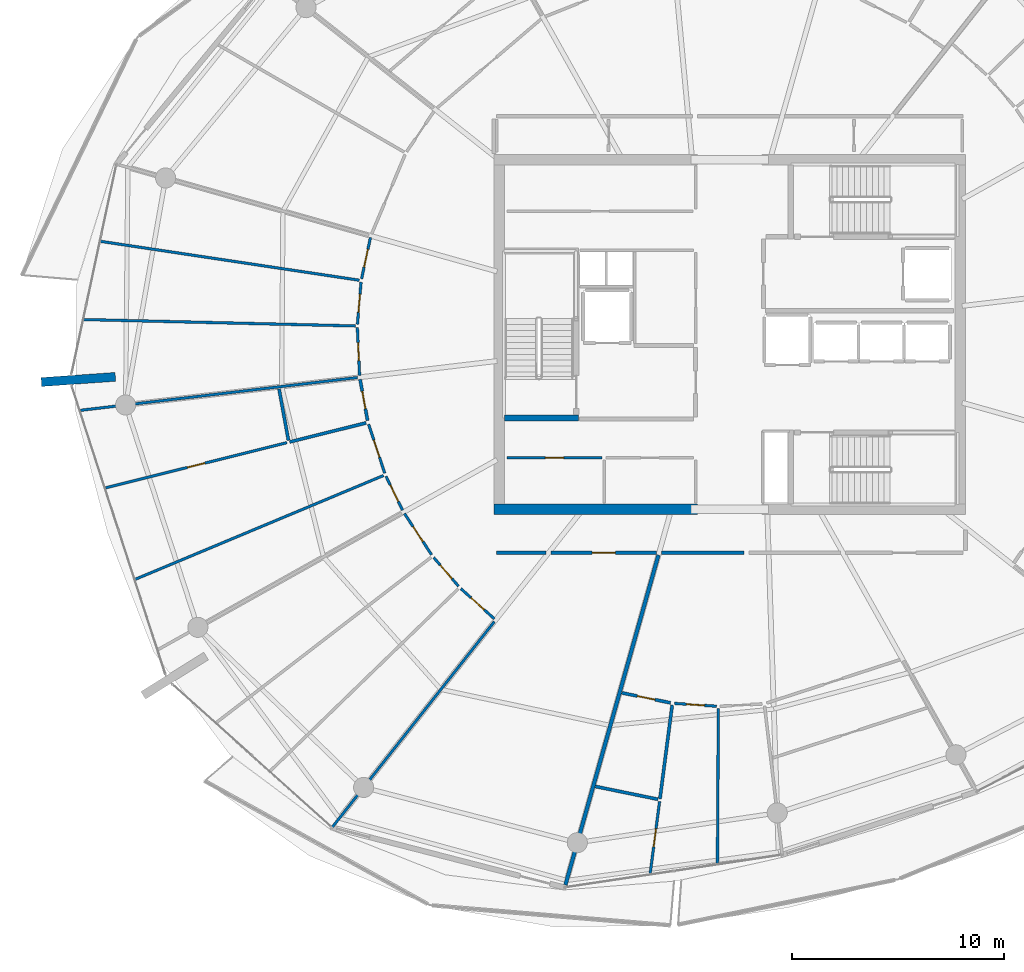
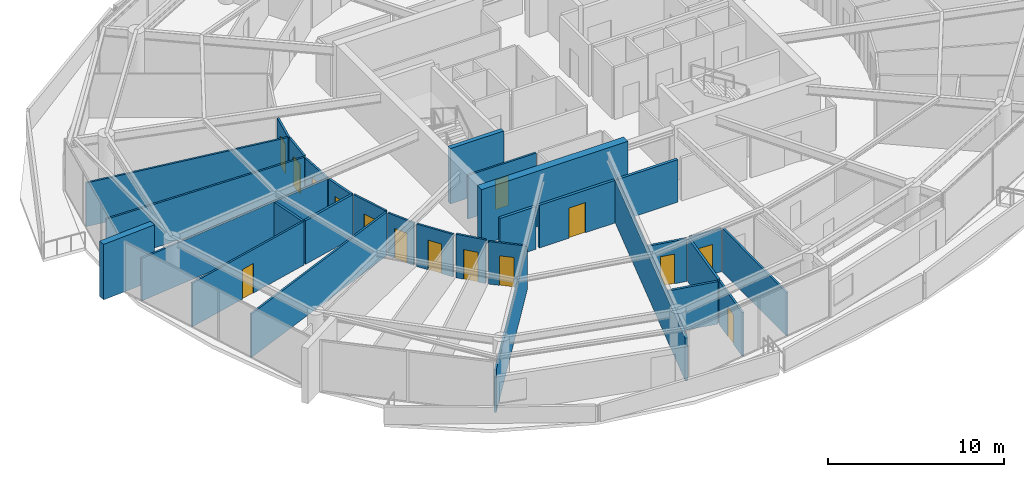
# One storey, part 18 of 30: 31 walls, 15 doors, 15 openings.
"""IFC4 building model written with IfcOpenShell, lengths in metres."""

import ifcopenshell
import ifcopenshell.guid

model = None  # the IFC model being written
_history = None  # IfcOwnerHistory: only IFC2X3 demands one
_inside = {}  # id of a spatial element -> (the spatial element, [elements in it])
_under = {}  # id of a project, library or spatial element -> (it, [spatial elements below it])
_declared = {}  # id of a project -> (the project, [libraries it declares])
_typed = {}  # id of a type object -> (the type object, [elements of that type])
_made_of = {}  # id of a material, layer set ... -> (it, [elements and type objects made of it])


def new_model(schema):
    """Start an empty IFC model of exactly this schema.

    Asked for "IFC4X3", IfcOpenShell would pick the latest addendum, in which some entities
    have other attributes; the version numbers below select the first issue.
    IFC2X3 requires an IfcOwnerHistory on every rooted entity: one is made here for all.
    """
    global model, _history
    if schema == "IFC4X3":
        model = ifcopenshell.file(schema_version=(4, 3, 0, 0))
    else:
        model = ifcopenshell.file(schema=schema)
    _inside.clear()
    _under.clear()
    _declared.clear()
    _typed.clear()
    _made_of.clear()
    _history = None
    if model.schema == "IFC2X3":
        org = make("IfcOrganization", Name="unknown")
        user = make(
            "IfcPersonAndOrganization",
            ThePerson=make("IfcPerson", FamilyName="unknown"),
            TheOrganization=org,
        )
        app = make(
            "IfcApplication",
            ApplicationDeveloper=org,
            Version="unknown",
            ApplicationFullName="unknown",
            ApplicationIdentifier="unknown",
        )
        _history = make(
            "IfcOwnerHistory",
            OwningUser=user,
            OwningApplication=app,
            ChangeAction="ADDED",
            CreationDate=0,
        )
    return model


def make(cls, **values):
    """One entity of the class cls with the attributes given. An attribute that is None is left unset."""
    return model.create_entity(
        cls, **{name: value for name, value in values.items() if value is not None}
    )


def rooted(cls, **values):
    """An entity with a GlobalId (a new one), such as an element, a storey or a relation."""
    return make(cls, GlobalId=ifcopenshell.guid.new(), OwnerHistory=_history, **values)


def si_unit(unit_type, name, prefix=None):
    """IfcSIUnit, for example si_unit("LENGTHUNIT", "METRE", prefix="MILLI")."""
    return make("IfcSIUnit", UnitType=unit_type, Prefix=prefix, Name=name)


def assignment(units):
    """IfcUnitAssignment: the units of a project."""
    return None if units is None else make("IfcUnitAssignment", Units=units)


def point(xyz):
    """IfcCartesianPoint."""
    return None if xyz is None else make("IfcCartesianPoint", Coordinates=xyz)


def direction(xyz):
    """IfcDirection."""
    return None if xyz is None else make("IfcDirection", DirectionRatios=xyz)


def frame(location, z_axis=None, x_axis=None):
    """IfcAxis2Placement3D, a coordinate frame: its origin and axes. An axis left out is left unset."""
    return make(
        "IfcAxis2Placement3D",
        Location=point(location),
        Axis=direction(z_axis),
        RefDirection=direction(x_axis),
    )


def frame_2d(location, x_axis=None):
    """IfcAxis2Placement2D, a coordinate frame in the plane: its origin and x axis."""
    return make(
        "IfcAxis2Placement2D", Location=point(location), RefDirection=direction(x_axis)
    )


def origin():
    """The frame at (0, 0, 0) with its axes left unset."""
    return frame((0.0, 0.0, 0.0))


def place(relative_to, where):
    """IfcLocalPlacement: puts the frame where relative to a parent placement (None: the world)."""
    return make(
        "IfcLocalPlacement", PlacementRelTo=relative_to, RelativePlacement=where
    )


def context(
    kind, dimensions, precision=None, world=None, true_north=None, identifier=None
):
    """IfcGeometricRepresentationContext, for example the 3D "Model" context."""
    return make(
        "IfcGeometricRepresentationContext",
        ContextIdentifier=identifier,
        ContextType=kind,
        CoordinateSpaceDimension=dimensions,
        Precision=precision,
        WorldCoordinateSystem=world,
        TrueNorth=true_north,
    )


def subcontext(parent, identifier, kind, view, scale=None):
    """IfcGeometricRepresentationSubContext, for example "Body" below "Model"."""
    return make(
        "IfcGeometricRepresentationSubContext",
        ContextIdentifier=identifier,
        ContextType=kind,
        ParentContext=parent,
        TargetScale=scale,
        TargetView=view,
    )


def project(units=None, contexts=None):
    """IfcProject with its units and contexts."""
    return rooted(
        "IfcProject",
        Name="project",
        RepresentationContexts=contexts,
        UnitsInContext=assignment(units),
    )


def spatial(cls, under=None, at=None, **own):
    """A site, building, storey or space (cls), placed at a placement, below another one or the project."""
    s = rooted(cls, ObjectPlacement=at, **own)
    if under is not None:
        _under.setdefault(under.id(), (under, []))[1].append(s)
    return s


def profile(cls, at=None, kind="AREA", **sizes):
    """A parametric profile (cls). Its sizes go by their IFC names, for example OverallWidth=200.0."""
    return make(cls, ProfileType=kind, Position=at, **sizes)


def rectangle(**sizes):
    """IfcRectangleProfileDef."""
    return profile("IfcRectangleProfileDef", **sizes)


def extrude(swept, where, along, depth):
    """IfcExtrudedAreaSolid: the profile swept, set in the frame where, extruded along a direction by depth."""
    return make(
        "IfcExtrudedAreaSolid",
        SweptArea=swept,
        Position=where,
        ExtrudedDirection=direction(along),
        Depth=depth,
    )


def shape(context_of_items, identifier, shape_type, items):
    """IfcShapeRepresentation: the items that make up one representation, for example the "Body"."""
    return make(
        "IfcShapeRepresentation",
        ContextOfItems=context_of_items,
        RepresentationIdentifier=identifier,
        RepresentationType=shape_type,
        Items=items,
    )


def material(Name=None, Category=None):
    """IfcMaterial."""
    return make("IfcMaterial", Name=Name, Category=Category)


def layer(
    of_material, thickness, ventilated=None, Name=None, Category=None, Priority=None
):
    """IfcMaterialLayer: one layer of a wall or slab, of a material (None: an air gap)."""
    return make(
        "IfcMaterialLayer",
        Material=of_material,
        LayerThickness=thickness,
        IsVentilated=ventilated,
        Name=Name,
        Category=Category,
        Priority=Priority,
    )


def layer_set(layers, Name=None):
    """IfcMaterialLayerSet."""
    return make("IfcMaterialLayerSet", MaterialLayers=layers, LayerSetName=Name)


def made_of(thing, what):
    """Note that an element or type object is made of a material, layer set ...; save() writes the relation."""
    if what is not None:
        _made_of.setdefault(what.id(), (what, []))[1].append(thing)
    return thing


def type_object(cls, material=None, **own):
    """A type object (cls), such as IfcWallType, which elements share."""
    return made_of(rooted(cls, **own), material)


def element(
    cls,
    number,
    at=None,
    inside=None,
    cuts=None,
    type_object=None,
    material=None,
    context=None,
    identifier="Body",
    shape_type=None,
    held_by="IfcProductDefinitionShape",
    body=None,
    shapes=None,
    **own,
):
    """One element of the class cls, such as IfcWall. Its Tag is "e" and its number.

    at: its placement. inside: the storey or other place that contains it. cuts: it is an
    opening in that element (IfcRelVoidsElement). A single representation is given by context,
    identifier, shape_type and body (its items); several are given by shapes. held_by: the class
    of the entity that holds the representations. save() writes the other relations.
    """
    e = rooted(cls, Tag="e%d" % number, ObjectPlacement=at, **own)
    if body is not None:
        shapes = [shape(context, identifier, shape_type, body)]
    if shapes is not None:
        e.Representation = make(held_by, Representations=shapes)
    if inside is not None:
        _inside.setdefault(inside.id(), (inside, []))[1].append(e)
    if cuts is not None:
        rooted(
            "IfcRelVoidsElement", RelatingBuildingElement=cuts, RelatedOpeningElement=e
        )
    if type_object is not None:
        _typed.setdefault(type_object.id(), (type_object, []))[1].append(e)
    return made_of(e, material)


def fill(opening, filler):
    """IfcRelFillsElement: the door or window that sits in an opening."""
    return rooted(
        "IfcRelFillsElement",
        RelatingOpeningElement=opening,
        RelatedBuildingElement=filler,
    )


def aggregate(whole, parts):
    """IfcRelAggregates: a whole, such as a stair, and the parts it consists of."""
    return rooted("IfcRelAggregates", RelatingObject=whole, RelatedObjects=parts)


def save(model, path):
    """Write the relations noted so far, then the file.

    IfcRelAggregates (storeys below a building ...), IfcRelContainedInSpatialStructure (elements
    in a storey), IfcRelDefinesByType, IfcRelAssociatesMaterial and IfcRelDeclares: one each for
    every whole, place, type object, material and project.
    """
    for whole, parts in _under.values():
        aggregate(whole, parts)
    for where, things in _inside.values():
        rooted(
            "IfcRelContainedInSpatialStructure",
            RelatedElements=things,
            RelatingStructure=where,
        )
    for kind, things in _typed.values():
        rooted("IfcRelDefinesByType", RelatedObjects=things, RelatingType=kind)
    for what, things in _made_of.values():
        rooted("IfcRelAssociatesMaterial", RelatedObjects=things, RelatingMaterial=what)
    for by, libraries in _declared.values():
        rooted("IfcRelDeclares", RelatingContext=by, RelatedDefinitions=libraries)
    model.write(path)


model = new_model("IFC4")

# Units and contexts
model_context = context("Model", 3, precision=1e-05, world=origin(), true_north=direction((0.0, 1.0)))
body_context = subcontext(model_context, "Body", "Model", "MODEL_VIEW")
ifc_project = project(units=[si_unit("LENGTHUNIT", "METRE"), si_unit("AREAUNIT", "SQUARE_METRE"), si_unit("VOLUMEUNIT", "CUBIC_METRE"), si_unit("PLANEANGLEUNIT", "RADIAN"), si_unit("MASSUNIT", "GRAM", prefix="KILO")], contexts=[model_context])

# Site, building, storey
site_placement = place(None, origin())
site = spatial("IfcSite", under=ifc_project, at=site_placement, CompositionType="ELEMENT")
building_placement = place(site_placement, origin())
building = spatial("IfcBuilding", under=site, at=building_placement, Name="Kazma Halo Residences", CompositionType="ELEMENT")
storey_placement = place(building_placement, frame((0.0, 0.0, 290.60009765625)))
storey = spatial("IfcBuildingStorey", under=building, at=storey_placement, Name="L73", CompositionType="ELEMENT", Elevation=290.60009765625)

# Walls
ifc_material_1 = material(Name="Pale Concrete C60/75", Category="concrete")
ifc_layer_1 = layer(ifc_material_1, 0.419921875)
ifc_layer_set_1 = layer_set([ifc_layer_1], Name="Pale Concrete C60/75")
wall_type_1 = type_object("IfcWallType", Name="WL-BLADE-420", PredefinedType="SOLIDWALL", material=ifc_layer_set_1)
wall_1_placement = place(storey_placement, frame((19.4375, 40.002685546875, 0.0), z_axis=(0.0, 0.0, 1.0), x_axis=(-0.997563824095, -0.069759707979, 0.0)))
element("IfcWall", 1, at=wall_1_placement, inside=storey, type_object=wall_type_1, Name="L73 pale concrete structural blade fin wall BW-02", PredefinedType="SOLIDWALL", context=body_context, shape_type="SweptSolid", body=[
    extrude(rectangle(XDim=3.499755859375, YDim=0.419921875, at=frame_2d((1.75, 0.0))), origin(), (0.0, 0.0, 1.0), 3.849853515625),
])
ifc_material_2 = material(Name="Concrete C60/75", Category="concrete")
ifc_layer_2 = layer(ifc_material_2, 0.5)
ifc_layer_set_2 = layer_set([ifc_layer_2], Name="Concrete C60/75")
wall_type_2 = type_object("IfcWallType", Name="WL-CORE-500", PredefinedType="SHEAR", material=ifc_layer_set_2)
wall_2_placement = place(storey_placement, frame((37.300048828125, 33.75, 0.0), z_axis=(0.0, 0.0, 1.0), x_axis=(1.0, 0.0, 0.0)))
element("IfcWall", 2, at=wall_2_placement, inside=storey, type_object=wall_type_2, Name="L73 central core shear wall SW", PredefinedType="SHEAR", context=body_context, shape_type="SweptSolid", body=[
    extrude(rectangle(XDim=9.599853515625, YDim=0.5, at=frame_2d((4.7998046875, 0.0))), origin(), (0.0, 0.0, 1.0), 3.849853515625),
])
ifc_layer_3 = layer(ifc_material_2, 0.280029296875)
ifc_layer_set_3 = layer_set([ifc_layer_3], Name="Concrete C60/75")
wall_type_3 = type_object("IfcWallType", Name="WL-CORE-ST-280", PredefinedType="SHEAR", material=ifc_layer_set_3)
wall_3_placement = place(storey_placement, frame((37.800048828125, 38.06005859375, 0.0), z_axis=(0.0, 0.0, 1.0), x_axis=(1.0, 0.0, 0.0)))
element("IfcWall", 3, at=wall_3_placement, inside=storey, type_object=wall_type_3, Name="L73 stairwell bearing wall ST01-S", PredefinedType="SHEAR", context=body_context, shape_type="SweptSolid", body=[
    extrude(rectangle(XDim=3.5, YDim=0.280029296875, at=frame_2d((1.75, 0.0))), origin(), (0.0, 0.0, 1.0), 3.849853515625),
])
ifc_material_3 = material(Name="Acoustic Twin-Stud Gypsum")
ifc_layer_4 = layer(ifc_material_3, 0.179931640625)
ifc_layer_set_4 = layer_set([ifc_layer_4], Name="Acoustic Twin-Stud Gypsum")
wall_type_4 = type_object("IfcWallType", Name="WL-DEM-180", PredefinedType="PARTITIONING", material=ifc_layer_set_4)
wall_4_placement = place(storey_placement, frame((45.065185546875, 31.593994140625, 0.0), z_axis=(0.0, 0.0, 1.0), x_axis=(-0.27143972755, -0.962455440167, 0.0)))
element("IfcWall", 4, at=wall_4_placement, inside=storey, type_object=wall_type_4, Name="L73 apartment demising radial wall 10", PredefinedType="PARTITIONING", context=body_context, shape_type="SweptSolid", body=[
    extrude(rectangle(XDim=16.172607421875, YDim=0.179931640625, at=frame_2d((8.08642578125, 0.0))), origin(), (0.0, 0.0, 1.0), 2.956787109375),
])

# Wall, opening, door
wall_5_placement = place(storey_placement, frame((40.0, 31.699951171875, 0.0), z_axis=(0.0, 0.0, 1.0), x_axis=(1.0, 0.0, 0.0)))
wall_5 = element("IfcWall", 5, at=wall_5_placement, inside=storey, type_object=wall_type_4, Name="L73 Apartment 1 entrance corridor wall", PredefinedType="PARTITIONING", context=body_context, shape_type="SweptSolid", body=[
    extrude(rectangle(XDim=4.97509765625, YDim=0.179931640625, at=frame_2d((2.487548828125, 0.0))), origin(), (0.0, 0.0, 1.0), 2.956787109375),
])
opening_1_placement = place(wall_5_placement, frame((1.9375, 0.0, 0.0)))
opening_1 = element("IfcOpeningElement", 6, at=opening_1_placement, cuts=wall_5, Name="Opening DA-1100", PredefinedType="OPENING", context=body_context, shape_type="SweptSolid", body=[
    extrude(rectangle(XDim=1.10009765625, YDim=2.10009765625, at=frame_2d((0.550048828125, 1.050048828125))), frame((0.0, 0.099853515625, 0.0), z_axis=(0.0, -1.0, 0.0), x_axis=(1.0, 0.0, 0.0)), (0.0, 0.0, 1.0), 0.199951171875),
])
ifc_material_4 = material(Name="Acoustic Walnut Fire Leaf")
door_type_1 = type_object("IfcDoorType", Name="DR-FD60-1100", OperationType="NOTDEFINED", PredefinedType="DOOR", material=ifc_material_4)
door_1_placement = place(opening_1_placement, origin())
door_1 = element("IfcDoor", 7, at=door_1_placement, inside=storey, type_object=door_type_1, Name="L73 Apartment 1 entrance fire door", OperationType="SINGLE_SWING_LEFT", OverallHeight=2.10009765625, OverallWidth=1.10009765625, PredefinedType="DOOR", context=body_context, shape_type="SweptSolid", body=[
    extrude(rectangle(XDim=1.10009765625, YDim=2.10009765625, at=frame_2d((0.550048828125, 1.050048828125))), frame((0.0, 0.02490234375, 0.0), z_axis=(0.0, -1.0, 0.0), x_axis=(1.0, 0.0, 0.0)), (0.0, 0.0, 1.0), 0.050048828125),
])
fill(opening_1, door_1)

# Walls
wall_6_placement = place(storey_placement, frame((37.419921875, 31.699951171875, 0.0), z_axis=(0.0, 0.0, 1.0), x_axis=(1.0, 0.0, 0.0)))
element("IfcWall", 8, at=wall_6_placement, inside=storey, type_object=wall_type_4, Name="L73 Apartment 1 inner wall 8", PredefinedType="PARTITIONING", context=body_context, shape_type="SweptSolid", body=[
    extrude(rectangle(XDim=2.340087890625, YDim=0.179931640625, at=frame_2d((1.169921875, 0.0))), origin(), (0.0, 0.0, 1.0), 2.956787109375),
])
wall_7_placement = place(storey_placement, frame((45.215087890625, 31.699951171875, 0.0), z_axis=(0.0, 0.0, 1.0), x_axis=(1.0, 0.0, 0.0)))
element("IfcWall", 9, at=wall_7_placement, inside=storey, type_object=wall_type_4, Name="L73 Apartment 2 inner wall 10", PredefinedType="PARTITIONING", context=body_context, shape_type="SweptSolid", body=[
    extrude(rectangle(XDim=3.884033203125, YDim=0.179931640625, at=frame_2d((1.94189453125, 0.0))), origin(), (0.0, 0.0, 1.0), 2.956787109375),
])

# Wall, opening, door
ifc_material_5 = material(Name="Gypsum Plasterboard Partition")
ifc_layer_5 = layer(ifc_material_5, 0.125)
ifc_layer_set_5 = layer_set([ifc_layer_5], Name="Gypsum Plasterboard Partition")
wall_type_5 = type_object("IfcWallType", Name="WL-PART-125", PredefinedType="PARTITIONING", material=ifc_layer_set_5)
wall_8_placement = place(storey_placement, frame((37.919921875, 36.179931640625, 0.0), z_axis=(0.0, 0.0, 1.0), x_axis=(1.0, 0.0, 0.0)))
wall_8 = element("IfcWall", 10, at=wall_8_placement, inside=storey, type_object=wall_type_5, Name="L73 reclaimed south W front wall", PredefinedType="PARTITIONING", context=body_context, shape_type="SweptSolid", body=[
    extrude(rectangle(XDim=4.47998046875, YDim=0.125, at=frame_2d((2.239990234375, 0.0))), origin(), (0.0, 0.0, 1.0), 3.02978515625),
])
opening_2_placement = place(wall_8_placement, frame((1.81494140625, 0.0, 0.0)))
opening_2 = element("IfcOpeningElement", 11, at=opening_2_placement, cuts=wall_8, Name="Opening DS-850", PredefinedType="OPENING", context=body_context, shape_type="SweptSolid", body=[
    extrude(rectangle(XDim=0.85009765625, YDim=2.06005859375, at=frame_2d((0.425048828125, 1.030029296875))), frame((0.0, 0.072509765625, 0.0), z_axis=(0.0, -1.0, 0.0), x_axis=(1.0, 0.0, 0.0)), (0.0, 0.0, 1.0), 0.14501953125),
])
ifc_material_6 = material(Name="Painted Steel Access Leaf", Category="steel")
door_type_2 = type_object("IfcDoorType", Name="DR-SVC-850", OperationType="NOTDEFINED", PredefinedType="DOOR", material=ifc_material_6)
door_2_placement = place(opening_2_placement, origin())
door_2 = element("IfcDoor", 12, at=door_2_placement, inside=storey, type_object=door_type_2, Name="L73 reclaimed south W door", OperationType="SINGLE_SWING_RIGHT", OverallHeight=2.06005859375, OverallWidth=0.85009765625, PredefinedType="DOOR", context=body_context, shape_type="SweptSolid", body=[
    extrude(rectangle(XDim=0.85009765625, YDim=2.06005859375, at=frame_2d((0.425048828125, 1.030029296875))), frame((0.0, 0.02490234375, 0.0), z_axis=(0.0, -1.0, 0.0), x_axis=(1.0, 0.0, 0.0)), (0.0, 0.0, 1.0), 0.050048828125),
])
fill(opening_2, door_2)

# Walls
wall_9_placement = place(storey_placement, frame((30.94970703125, 44.5634765625, 0.0), z_axis=(0.0, 0.0, 1.0), x_axis=(-0.988886709817, 0.148671029955, 0.0)))
element("IfcWall", 13, at=wall_9_placement, inside=storey, type_object=wall_type_5, Name="L73 Apartment 1 bay wall 1 6", PredefinedType="PARTITIONING", context=body_context, shape_type="SweptSolid", body=[
    extrude(rectangle(XDim=12.3505859375, YDim=0.125, at=frame_2d((6.17529296875, 0.0))), origin(), (0.0, 0.0, 1.0), 3.02978515625),
])
wall_10_placement = place(storey_placement, frame((30.7626953125, 42.40625, 0.0), z_axis=(0.0, 0.0, 1.0), x_axis=(-0.99972256554, 0.023554021933, 0.0)))
element("IfcWall", 14, at=wall_10_placement, inside=storey, type_object=wall_type_5, Name="L73 Apartment 1 bay wall 2 6", PredefinedType="PARTITIONING", context=body_context, shape_type="SweptSolid", body=[
    extrude(rectangle(XDim=12.82177734375, YDim=0.125, at=frame_2d((6.410888671875, 0.0))), origin(), (0.0, 0.0, 1.0), 3.02978515625),
])

# Wall, opening, door
wall_11_placement = place(storey_placement, frame((31.47509765625, 46.577392578125, 0.0), z_axis=(0.0, 0.0, 1.0), x_axis=(-0.210482265154, -0.977597675967, 0.0)))
wall_11 = element("IfcWall", 15, at=wall_11_placement, inside=storey, type_object=wall_type_5, Name="L73 Apartment 1 Sky Bedroom hall wall", PredefinedType="PARTITIONING", context=body_context, shape_type="SweptSolid", body=[
    extrude(rectangle(XDim=1.993896484375, YDim=0.125, at=frame_2d((0.9970703125, 0.0))), origin(), (0.0, 0.0, 1.0), 2.956787109375),
])
opening_3_placement = place(wall_11_placement, frame((0.572021484375, 0.0, 0.0)))
opening_3 = element("IfcOpeningElement", 16, at=opening_3_placement, cuts=wall_11, Name="Opening DB-900", PredefinedType="OPENING", context=body_context, shape_type="SweptSolid", body=[
    extrude(rectangle(XDim=0.85009765625, YDim=2.06005859375, at=frame_2d((0.425048828125, 1.030029296875))), frame((0.0, 0.072509765625, 0.0), z_axis=(0.0, -1.0, 0.0), x_axis=(1.0, 0.0, 0.0)), (0.0, 0.0, 1.0), 0.14501953125),
])
ifc_material_7 = material(Name="Moisture-Sealed Timber Leaf", Category="wood")
door_type_3 = type_object("IfcDoorType", Name="DR-BTH-900", OperationType="NOTDEFINED", PredefinedType="DOOR", material=ifc_material_7)
door_3_placement = place(opening_3_placement, origin())
door_3 = element("IfcDoor", 17, at=door_3_placement, inside=storey, type_object=door_type_3, Name="L73 Apartment 1 Sky Bedroom door", OperationType="SINGLE_SWING_LEFT", OverallHeight=2.06005859375, OverallWidth=0.85009765625, PredefinedType="DOOR", context=body_context, shape_type="SweptSolid", body=[
    extrude(rectangle(XDim=0.85009765625, YDim=2.06005859375, at=frame_2d((0.425048828125, 1.030029296875))), frame((0.0, 0.02490234375, 0.0), z_axis=(0.0, -1.0, 0.0), x_axis=(1.0, 0.0, 0.0)), (0.0, 0.0, 1.0), 0.050048828125),
])
fill(opening_3, door_3)

wall_12_placement = place(storey_placement, frame((31.03173828125, 44.47021484375, 0.0), z_axis=(0.0, 0.0, 1.0), x_axis=(-0.086328422667, -0.996266733079, 0.0)))
wall_12 = element("IfcWall", 18, at=wall_12_placement, inside=storey, type_object=wall_type_5, Name="L73 Apartment 1 Gulf Dressing Wardrobe hall wall", PredefinedType="PARTITIONING", context=body_context, shape_type="SweptSolid", body=[
    extrude(rectangle(XDim=1.99365234375, YDim=0.125, at=frame_2d((0.996826171875, 0.0))), origin(), (0.0, 0.0, 1.0), 3.02978515625),
])
opening_4_placement = place(wall_12_placement, frame((0.572021484375, 0.0, 0.0)))
opening_4 = element("IfcOpeningElement", 19, at=opening_4_placement, cuts=wall_12, Name="Opening DB-900", PredefinedType="OPENING", context=body_context, shape_type="SweptSolid", body=[
    extrude(rectangle(XDim=0.85009765625, YDim=2.06005859375, at=frame_2d((0.425048828125, 1.030029296875))), frame((0.0, 0.072509765625, 0.0), z_axis=(0.0, -1.0, 0.0), x_axis=(1.0, 0.0, 0.0)), (0.0, 0.0, 1.0), 0.14501953125),
])
door_4_placement = place(opening_4_placement, origin())
door_4 = element("IfcDoor", 20, at=door_4_placement, inside=storey, type_object=door_type_3, Name="L73 Apartment 1 Gulf Dressing Wardrobe door", OperationType="SINGLE_SWING_RIGHT", OverallHeight=2.06005859375, OverallWidth=0.85009765625, PredefinedType="DOOR", context=body_context, shape_type="SweptSolid", body=[
    extrude(rectangle(XDim=0.85009765625, YDim=2.06005859375, at=frame_2d((0.425048828125, 1.030029296875))), frame((0.0, 0.02490234375, 0.0), z_axis=(0.0, -1.0, 0.0), x_axis=(1.0, 0.0, 0.0)), (0.0, 0.0, 1.0), 0.050048828125),
])
fill(opening_4, door_4)

wall_13_placement = place(storey_placement, frame((30.856689453125, 42.32421875, 0.0), z_axis=(0.0, 0.0, 1.0), x_axis=(0.047042266611, -0.998892899741, 0.0)))
wall_13 = element("IfcWall", 21, at=wall_13_placement, inside=storey, type_object=wall_type_5, Name="L73 Apartment 1 Primary Master Bedroom hall wall", PredefinedType="PARTITIONING", context=body_context, shape_type="SweptSolid", body=[
    extrude(rectangle(XDim=2.2626953125, YDim=0.125, at=frame_2d((1.13134765625, 0.0))), origin(), (0.0, 0.0, 1.0), 2.956787109375),
])
opening_5_placement = place(wall_13_placement, frame((0.706298828125, 0.0, 0.0)))
opening_5 = element("IfcOpeningElement", 22, at=opening_5_placement, cuts=wall_13, Name="Opening DB-900", PredefinedType="OPENING", context=body_context, shape_type="SweptSolid", body=[
    extrude(rectangle(XDim=0.85009765625, YDim=2.06005859375, at=frame_2d((0.425048828125, 1.030029296875))), frame((0.0, 0.072509765625, 0.0), z_axis=(0.0, -1.0, 0.0), x_axis=(1.0, 0.0, 0.0)), (0.0, 0.0, 1.0), 0.14501953125),
])
door_5_placement = place(opening_5_placement, origin())
door_5 = element("IfcDoor", 23, at=door_5_placement, inside=storey, type_object=door_type_3, Name="L73 Apartment 1 Primary Master Bedroom door", OperationType="SINGLE_SWING_LEFT", OverallHeight=2.06005859375, OverallWidth=0.85009765625, PredefinedType="DOOR", context=body_context, shape_type="SweptSolid", body=[
    extrude(rectangle(XDim=0.85009765625, YDim=2.06005859375, at=frame_2d((0.425048828125, 1.030029296875))), frame((0.0, 0.02490234375, 0.0), z_axis=(0.0, -1.0, 0.0), x_axis=(1.0, 0.0, 0.0)), (0.0, 0.0, 1.0), 0.050048828125),
])
fill(opening_5, door_5)

# Wall
wall_14_placement = place(storey_placement, frame((30.86767578125, 39.97216796875, 0.0), z_axis=(0.0, 0.0, 1.0), x_axis=(-0.993068921398, -0.117533473328, 0.0)))
element("IfcWall", 24, at=wall_14_placement, inside=storey, type_object=wall_type_5, Name="L73 Apartment 1 radial partition 7", PredefinedType="PARTITIONING", context=body_context, shape_type="SweptSolid", body=[
    extrude(rectangle(XDim=13.177734375, YDim=0.125, at=frame_2d((6.5888671875, 0.0))), origin(), (0.0, 0.0, 1.0), 2.956787109375),
])

# Wall, opening, door
wall_15_placement = place(storey_placement, frame((27.5341796875, 36.899169921875, 0.0), z_axis=(0.0, 0.0, 1.0), x_axis=(-0.970319606555, -0.241826096887, 0.0)))
wall_15 = element("IfcWall", 25, at=wall_15_placement, inside=storey, type_object=wall_type_5, Name="L73 Apartment 1 East Walk-In Wardrobe partition wall", PredefinedType="PARTITIONING", context=body_context, shape_type="SweptSolid", body=[
    extrude(rectangle(XDim=8.82568359375, YDim=0.125, at=frame_2d((4.412841796875, 0.0))), origin(), (0.0, 0.0, 1.0), 3.02978515625),
])
opening_6_placement = place(wall_15_placement, frame((3.98779296875, 0.0, 0.0)))
opening_6 = element("IfcOpeningElement", 26, at=opening_6_placement, cuts=wall_15, Name="Opening DB-900", PredefinedType="OPENING", context=body_context, shape_type="SweptSolid", body=[
    extrude(rectangle(XDim=0.85009765625, YDim=2.06005859375, at=frame_2d((0.425048828125, 1.030029296875))), frame((0.0, 0.072509765625, 0.0), z_axis=(0.0, -1.0, 0.0), x_axis=(1.0, 0.0, 0.0)), (0.0, 0.0, 1.0), 0.14501953125),
])
door_6_placement = place(opening_6_placement, origin())
door_6 = element("IfcDoor", 27, at=door_6_placement, inside=storey, type_object=door_type_3, Name="L73 Apartment 1 East Walk-In Wardrobe door", OperationType="SINGLE_SWING_RIGHT", OverallHeight=2.06005859375, OverallWidth=0.85009765625, PredefinedType="DOOR", context=body_context, shape_type="SweptSolid", body=[
    extrude(rectangle(XDim=0.85009765625, YDim=2.06005859375, at=frame_2d((0.425048828125, 1.030029296875))), frame((0.0, 0.02490234375, 0.0), z_axis=(0.0, -1.0, 0.0), x_axis=(1.0, 0.0, 0.0)), (0.0, 0.0, 1.0), 0.050048828125),
])
fill(opening_6, door_6)

# Wall
wall_16_placement = place(storey_placement, frame((32.092529296875, 35.348876953125, 0.0), z_axis=(0.0, 0.0, 1.0), x_axis=(-0.922603134387, -0.385750510588, 0.0)))
element("IfcWall", 28, at=wall_16_placement, inside=storey, type_object=wall_type_5, Name="L73 Apartment 1 suite divider 7", PredefinedType="PARTITIONING", context=body_context, shape_type="SweptSolid", body=[
    extrude(rectangle(XDim=12.702880859375, YDim=0.125, at=frame_2d((6.3515625, 0.0))), origin(), (0.0, 0.0, 1.0), 3.02978515625),
])

# Wall, opening, door
wall_17_placement = place(storey_placement, frame((31.385498046875, 37.7666015625, 0.0), z_axis=(0.0, 0.0, 1.0), x_axis=(0.314690560305, -0.94919431691, 0.0)))
wall_17 = element("IfcWall", 29, at=wall_17_placement, inside=storey, type_object=wall_type_5, Name="L73 Apartment 1 West Formal Dining Room hall wall", PredefinedType="PARTITIONING", context=body_context, shape_type="SweptSolid", body=[
    extrude(rectangle(XDim=2.4306640625, YDim=0.125, at=frame_2d((1.21533203125, 0.0))), origin(), (0.0, 0.0, 1.0), 3.02978515625),
])
opening_7_placement = place(wall_17_placement, frame((0.790283203125, 0.0, 0.0)))
opening_7 = element("IfcOpeningElement", 30, at=opening_7_placement, cuts=wall_17, Name="Opening DB-900", PredefinedType="OPENING", context=body_context, shape_type="SweptSolid", body=[
    extrude(rectangle(XDim=0.85009765625, YDim=2.06005859375, at=frame_2d((0.425048828125, 1.030029296875))), frame((0.0, 0.072509765625, 0.0), z_axis=(0.0, -1.0, 0.0), x_axis=(1.0, 0.0, 0.0)), (0.0, 0.0, 1.0), 0.14501953125),
])
door_7_placement = place(opening_7_placement, origin())
door_7 = element("IfcDoor", 31, at=door_7_placement, inside=storey, type_object=door_type_3, Name="L73 Apartment 1 West Formal Dining Room door", OperationType="SINGLE_SWING_LEFT", OverallHeight=2.06005859375, OverallWidth=0.85009765625, PredefinedType="DOOR", context=body_context, shape_type="SweptSolid", body=[
    extrude(rectangle(XDim=0.85009765625, YDim=2.06005859375, at=frame_2d((0.425048828125, 1.030029296875))), frame((0.0, 0.02490234375, 0.0), z_axis=(0.0, -1.0, 0.0), x_axis=(1.0, 0.0, 0.0)), (0.0, 0.0, 1.0), 0.050048828125),
])
fill(opening_7, door_7)

wall_18_placement = place(storey_placement, frame((32.21044921875, 35.311767578125, 0.0), z_axis=(0.0, 0.0, 1.0), x_axis=(0.437932532195, -0.899007840481, 0.0)))
wall_18 = element("IfcWall", 32, at=wall_18_placement, inside=storey, type_object=wall_type_5, Name="L73 Apartment 1 North Master Bedroom hall wall", PredefinedType="PARTITIONING", context=body_context, shape_type="SweptSolid", body=[
    extrude(rectangle(XDim=1.78271484375, YDim=0.125, at=frame_2d((0.891357421875, 0.0))), origin(), (0.0, 0.0, 1.0), 2.956787109375),
])
opening_8_placement = place(wall_18_placement, frame((0.46630859375, 0.0, 0.0)))
opening_8 = element("IfcOpeningElement", 33, at=opening_8_placement, cuts=wall_18, Name="Opening DB-900", PredefinedType="OPENING", context=body_context, shape_type="SweptSolid", body=[
    extrude(rectangle(XDim=0.85009765625, YDim=2.06005859375, at=frame_2d((0.425048828125, 1.030029296875))), frame((0.0, 0.072509765625, 0.0), z_axis=(0.0, -1.0, 0.0), x_axis=(1.0, 0.0, 0.0)), (0.0, 0.0, 1.0), 0.14501953125),
])
door_8_placement = place(opening_8_placement, origin())
door_8 = element("IfcDoor", 34, at=door_8_placement, inside=storey, type_object=door_type_3, Name="L73 Apartment 1 North Master Bedroom door", OperationType="SINGLE_SWING_RIGHT", OverallHeight=2.06005859375, OverallWidth=0.85009765625, PredefinedType="DOOR", context=body_context, shape_type="SweptSolid", body=[
    extrude(rectangle(XDim=0.85009765625, YDim=2.06005859375, at=frame_2d((0.425048828125, 1.030029296875))), frame((0.0, 0.02490234375, 0.0), z_axis=(0.0, -1.0, 0.0), x_axis=(1.0, 0.0, 0.0)), (0.0, 0.0, 1.0), 0.050048828125),
])
fill(opening_8, door_8)

# Wall
wall_19_placement = place(storey_placement, frame((37.3193359375, 28.45166015625, 0.0), z_axis=(0.0, 0.0, 1.0), x_axis=(-0.619095191857, -0.785315951334, 0.0)))
element("IfcWall", 35, at=wall_19_placement, inside=storey, type_object=wall_type_5, Name="L73 Apartment 1 living radial partition 8", PredefinedType="PARTITIONING", context=body_context, shape_type="SweptSolid", body=[
    extrude(rectangle(XDim=12.343505859375, YDim=0.125, at=frame_2d((6.171875, 0.0))), origin(), (0.0, 0.0, 1.0), 2.956787109375),
])

# Wall, opening, door
wall_20_placement = place(storey_placement, frame((33.0791015625, 33.552490234375, 0.0), z_axis=(0.0, 0.0, 1.0), x_axis=(0.550607173666, -0.83476448194, 0.0)))
wall_20 = element("IfcWall", 36, at=wall_20_placement, inside=storey, type_object=wall_type_5, Name="L73 Apartment 1 Outer Master Bedroom hall wall", PredefinedType="PARTITIONING", context=body_context, shape_type="SweptSolid", body=[
    extrude(rectangle(XDim=2.330078125, YDim=0.125, at=frame_2d((1.1650390625, 0.0))), origin(), (0.0, 0.0, 1.0), 2.956787109375),
])
opening_9_placement = place(wall_20_placement, frame((0.739990234375, 0.0, 0.0)))
opening_9 = element("IfcOpeningElement", 37, at=opening_9_placement, cuts=wall_20, Name="Opening DB-900", PredefinedType="OPENING", context=body_context, shape_type="SweptSolid", body=[
    extrude(rectangle(XDim=0.85009765625, YDim=2.06005859375, at=frame_2d((0.425048828125, 1.030029296875))), frame((0.0, 0.072509765625, 0.0), z_axis=(0.0, -1.0, 0.0), x_axis=(1.0, 0.0, 0.0)), (0.0, 0.0, 1.0), 0.14501953125),
])
door_9_placement = place(opening_9_placement, origin())
door_9 = element("IfcDoor", 38, at=door_9_placement, inside=storey, type_object=door_type_3, Name="L73 Apartment 1 Outer Master Bedroom door", OperationType="SINGLE_SWING_LEFT", OverallHeight=2.06005859375, OverallWidth=0.85009765625, PredefinedType="DOOR", context=body_context, shape_type="SweptSolid", body=[
    extrude(rectangle(XDim=0.85009765625, YDim=2.06005859375, at=frame_2d((0.425048828125, 1.030029296875))), frame((0.0, 0.02490234375, 0.0), z_axis=(0.0, -1.0, 0.0), x_axis=(1.0, 0.0, 0.0)), (0.0, 0.0, 1.0), 0.050048828125),
])
fill(opening_9, door_9)

wall_21_placement = place(storey_placement, frame((34.45849609375, 31.480224609375, 0.0), z_axis=(0.0, 0.0, 1.0), x_axis=(0.653882286754, -0.756596295966, 0.0)))
wall_21 = element("IfcWall", 39, at=wall_21_placement, inside=storey, type_object=wall_type_5, Name="L73 Apartment 1 Corner Study hall wall", PredefinedType="PARTITIONING", context=body_context, shape_type="SweptSolid", body=[
    extrude(rectangle(XDim=1.792236328125, YDim=0.125, at=frame_2d((0.89599609375, 0.0))), origin(), (0.0, 0.0, 1.0), 3.02978515625),
])
opening_10_placement = place(wall_21_placement, frame((0.47119140625, 0.0, 0.0)))
opening_10 = element("IfcOpeningElement", 40, at=opening_10_placement, cuts=wall_21, Name="Opening DB-900", PredefinedType="OPENING", context=body_context, shape_type="SweptSolid", body=[
    extrude(rectangle(XDim=0.85009765625, YDim=2.06005859375, at=frame_2d((0.425048828125, 1.030029296875))), frame((0.0, 0.072509765625, 0.0), z_axis=(0.0, -1.0, 0.0), x_axis=(1.0, 0.0, 0.0)), (0.0, 0.0, 1.0), 0.14501953125),
])
door_10_placement = place(opening_10_placement, origin())
door_10 = element("IfcDoor", 41, at=door_10_placement, inside=storey, type_object=door_type_3, Name="L73 Apartment 1 Corner Study door", OperationType="SINGLE_SWING_RIGHT", OverallHeight=2.06005859375, OverallWidth=0.85009765625, PredefinedType="DOOR", context=body_context, shape_type="SweptSolid", body=[
    extrude(rectangle(XDim=0.85009765625, YDim=2.06005859375, at=frame_2d((0.425048828125, 1.030029296875))), frame((0.0, 0.02490234375, 0.0), z_axis=(0.0, -1.0, 0.0), x_axis=(1.0, 0.0, 0.0)), (0.0, 0.0, 1.0), 0.050048828125),
])
fill(opening_10, door_10)

wall_22_placement = place(storey_placement, frame((35.7421875, 30.010009765625, 0.0), z_axis=(0.0, 0.0, 1.0), x_axis=(0.742260909421, -0.670110992557, 0.0)))
wall_22 = element("IfcWall", 42, at=wall_22_placement, inside=storey, type_object=wall_type_5, Name="L73 Apartment 1 Garden Master Bedroom hall wall", PredefinedType="PARTITIONING", context=body_context, shape_type="SweptSolid", body=[
    extrude(rectangle(XDim=2.12841796875, YDim=0.125, at=frame_2d((1.064208984375, 0.0))), origin(), (0.0, 0.0, 1.0), 2.956787109375),
])
opening_11_placement = place(wall_22_placement, frame((0.63916015625, 0.0, 0.0)))
opening_11 = element("IfcOpeningElement", 43, at=opening_11_placement, cuts=wall_22, Name="Opening DB-900", PredefinedType="OPENING", context=body_context, shape_type="SweptSolid", body=[
    extrude(rectangle(XDim=0.85009765625, YDim=2.06005859375, at=frame_2d((0.425048828125, 1.030029296875))), frame((0.0, 0.072509765625, 0.0), z_axis=(0.0, -1.0, 0.0), x_axis=(1.0, 0.0, 0.0)), (0.0, 0.0, 1.0), 0.14501953125),
])
door_11_placement = place(opening_11_placement, origin())
door_11 = element("IfcDoor", 44, at=door_11_placement, inside=storey, type_object=door_type_3, Name="L73 Apartment 1 Garden Master Bedroom door", OperationType="SINGLE_SWING_LEFT", OverallHeight=2.06005859375, OverallWidth=0.85009765625, PredefinedType="DOOR", context=body_context, shape_type="SweptSolid", body=[
    extrude(rectangle(XDim=0.85009765625, YDim=2.06005859375, at=frame_2d((0.425048828125, 1.030029296875))), frame((0.0, 0.02490234375, 0.0), z_axis=(0.0, -1.0, 0.0), x_axis=(1.0, 0.0, 0.0)), (0.0, 0.0, 1.0), 0.050048828125),
])
fill(opening_11, door_11)

wall_23_placement = place(storey_placement, frame((45.119140625, 19.96142578125, 0.0), z_axis=(0.0, 0.0, 1.0), x_axis=(-0.129638509604, -0.991561322777, 0.0)))
wall_23 = element("IfcWall", 45, at=wall_23_placement, inside=storey, type_object=wall_type_5, Name="L73 Apartment 2 Household Store Room partition wall", PredefinedType="PARTITIONING", context=body_context, shape_type="SweptSolid", body=[
    extrude(rectangle(XDim=3.451904296875, YDim=0.125, at=frame_2d((1.72607421875, 0.0))), origin(), (0.0, 0.0, 1.0), 3.02978515625),
])
opening_12_placement = place(wall_23_placement, frame((1.301025390625, 0.0, 0.0)))
opening_12 = element("IfcOpeningElement", 46, at=opening_12_placement, cuts=wall_23, Name="Opening DB-900", PredefinedType="OPENING", context=body_context, shape_type="SweptSolid", body=[
    extrude(rectangle(XDim=0.85009765625, YDim=2.06005859375, at=frame_2d((0.425048828125, 1.030029296875))), frame((0.0, 0.072509765625, 0.0), z_axis=(0.0, -1.0, 0.0), x_axis=(1.0, 0.0, 0.0)), (0.0, 0.0, 1.0), 0.14501953125),
])
door_12_placement = place(opening_12_placement, origin())
door_12 = element("IfcDoor", 47, at=door_12_placement, inside=storey, type_object=door_type_3, Name="L73 Apartment 2 Household Store Room door", OperationType="SINGLE_SWING_LEFT", OverallHeight=2.06005859375, OverallWidth=0.85009765625, PredefinedType="DOOR", context=body_context, shape_type="SweptSolid", body=[
    extrude(rectangle(XDim=0.85009765625, YDim=2.06005859375, at=frame_2d((0.425048828125, 1.030029296875))), frame((0.0, 0.02490234375, 0.0), z_axis=(0.0, -1.0, 0.0), x_axis=(1.0, 0.0, 0.0)), (0.0, 0.0, 1.0), 0.050048828125),
])
fill(opening_12, door_12)

# Wall
wall_24_placement = place(storey_placement, frame((47.892578125, 24.3642578125, 0.0), z_axis=(0.0, 0.0, 1.0), x_axis=(-0.006080631894, -0.999981512787, 0.0)))
element("IfcWall", 48, at=wall_24_placement, inside=storey, type_object=wall_type_5, Name="L73 Apartment 2 suite divider 10", PredefinedType="PARTITIONING", context=body_context, shape_type="SweptSolid", body=[
    extrude(rectangle(XDim=7.34765625, YDim=0.125, at=frame_2d((3.673828125, 0.0))), origin(), (0.0, 0.0, 1.0), 3.02978515625),
])

# Wall, opening, door
wall_25_placement = place(storey_placement, frame((45.8154296875, 24.595947265625, 0.0), z_axis=(0.0, 0.0, 1.0), x_axis=(0.997683692682, -0.068023888137, 0.0)))
wall_25 = element("IfcWall", 49, at=wall_25_placement, inside=storey, type_object=wall_type_5, Name="L73 Apartment 2 Gourmet Kitchen hall wall", PredefinedType="PARTITIONING", context=body_context, shape_type="SweptSolid", body=[
    extrude(rectangle(XDim=2.002685546875, YDim=0.125, at=frame_2d((1.00146484375, 0.0))), origin(), (0.0, 0.0, 1.0), 3.02978515625),
])
opening_13_placement = place(wall_25_placement, frame((0.576416015625, 0.0, 0.0)))
opening_13 = element("IfcOpeningElement", 50, at=opening_13_placement, cuts=wall_25, Name="Opening DB-900", PredefinedType="OPENING", context=body_context, shape_type="SweptSolid", body=[
    extrude(rectangle(XDim=0.85009765625, YDim=2.06005859375, at=frame_2d((0.425048828125, 1.030029296875))), frame((0.0, 0.072509765625, 0.0), z_axis=(0.0, -1.0, 0.0), x_axis=(1.0, 0.0, 0.0)), (0.0, 0.0, 1.0), 0.14501953125),
])
door_13_placement = place(opening_13_placement, origin())
door_13 = element("IfcDoor", 51, at=door_13_placement, inside=storey, type_object=door_type_3, Name="L73 Apartment 2 Gourmet Kitchen door", OperationType="SINGLE_SWING_RIGHT", OverallHeight=2.06005859375, OverallWidth=0.85009765625, PredefinedType="DOOR", context=body_context, shape_type="SweptSolid", body=[
    extrude(rectangle(XDim=0.85009765625, YDim=2.06005859375, at=frame_2d((0.425048828125, 1.030029296875))), frame((0.0, 0.02490234375, 0.0), z_axis=(0.0, -1.0, 0.0), x_axis=(1.0, 0.0, 0.0)), (0.0, 0.0, 1.0), 0.050048828125),
])
fill(opening_13, door_13)

ifc_material_8 = material(Name="Moisture-Resistant Gypsum")
ifc_layer_6 = layer(ifc_material_8, 0.14990234375)
ifc_layer_set_6 = layer_set([ifc_layer_6], Name="Moisture-Resistant Gypsum")
wall_type_6 = type_object("IfcWallType", Name="WL-WET-150", PredefinedType="PARTITIONING", material=ifc_layer_set_6)
wall_26_placement = place(storey_placement, frame((30.98486328125, 39.885498046875, 0.0), z_axis=(0.0, 0.0, 1.0), x_axis=(0.180015292758, -0.983663811662, 0.0)))
wall_26 = element("IfcWall", 52, at=wall_26_placement, inside=storey, type_object=wall_type_6, Name="L73 Apartment 1 Secondary En-Suite Bathroom hall wall", PredefinedType="PARTITIONING", context=body_context, shape_type="SweptSolid", body=[
    extrude(rectangle(XDim=1.977294921875, YDim=0.14990234375, at=frame_2d((0.98876953125, 0.0))), origin(), (0.0, 0.0, 1.0), 2.956787109375),
])
opening_14_placement = place(wall_26_placement, frame((0.563720703125, 0.0, 0.0)))
opening_14 = element("IfcOpeningElement", 53, at=opening_14_placement, cuts=wall_26, Name="Opening DB-900", PredefinedType="OPENING", context=body_context, shape_type="SweptSolid", body=[
    extrude(rectangle(XDim=0.85009765625, YDim=2.06005859375, at=frame_2d((0.425048828125, 1.030029296875))), frame((0.0, 0.0849609375, 0.0), z_axis=(0.0, -1.0, 0.0), x_axis=(1.0, 0.0, 0.0)), (0.0, 0.0, 1.0), 0.169921875),
])
door_14_placement = place(opening_14_placement, origin())
door_14 = element("IfcDoor", 54, at=door_14_placement, inside=storey, type_object=door_type_3, Name="L73 Apartment 1 Secondary En-Suite Bathroom door", OperationType="SINGLE_SWING_LEFT", OverallHeight=2.06005859375, OverallWidth=0.85009765625, PredefinedType="DOOR", context=body_context, shape_type="SweptSolid", body=[
    extrude(rectangle(XDim=0.85009765625, YDim=2.06005859375, at=frame_2d((0.425048828125, 1.030029296875))), frame((0.0, 0.02490234375, 0.0), z_axis=(0.0, -1.0, 0.0), x_axis=(1.0, 0.0, 0.0)), (0.0, 0.0, 1.0), 0.050048828125),
])
fill(opening_14, door_14)

# Walls
wall_27_placement = place(storey_placement, frame((27.16162109375, 39.43310546875, 0.0), z_axis=(0.0, 0.0, 1.0), x_axis=(0.180045053774, -0.983658364785, 0.0)))
element("IfcWall", 55, at=wall_27_placement, inside=storey, type_object=wall_type_6, Name="L73 Apartment 1 Secondary En-Suite Bathroom back wall", PredefinedType="PARTITIONING", context=body_context, shape_type="SweptSolid", body=[
    extrude(rectangle(XDim=2.4638671875, YDim=0.14990234375, at=frame_2d((1.23193359375, 0.0))), origin(), (0.0, 0.0, 1.0), 2.956787109375),
])
wall_28_placement = place(storey_placement, frame((31.269775390625, 37.830078125, 0.0), z_axis=(0.0, 0.0, 1.0), x_axis=(-0.97033137229, -0.241778882348, 0.0)))
element("IfcWall", 56, at=wall_28_placement, inside=storey, type_object=wall_type_6, Name="L73 Apartment 1 Secondary En-Suite Bathroom side wall", PredefinedType="PARTITIONING", context=body_context, shape_type="SweptSolid", body=[
    extrude(rectangle(XDim=3.719970703125, YDim=0.14990234375, at=frame_2d((1.85986328125, 0.0))), origin(), (0.0, 0.0, 1.0), 3.02978515625),
])

# Wall, opening, door
wall_29_placement = place(storey_placement, frame((43.335205078125, 25.0927734375, 0.0), z_axis=(0.0, 0.0, 1.0), x_axis=(0.979569131454, -0.201107724125, 0.0)))
wall_29 = element("IfcWall", 57, at=wall_29_placement, inside=storey, type_object=wall_type_6, Name="L73 Apartment 2 Guest Bathroom hall wall", PredefinedType="PARTITIONING", context=body_context, shape_type="SweptSolid", body=[
    extrude(rectangle(XDim=2.350341796875, YDim=0.14990234375, at=frame_2d((1.17529296875, 0.0))), origin(), (0.0, 0.0, 1.0), 2.956787109375),
])
opening_15_placement = place(wall_29_placement, frame((0.75, 0.0, 0.0)))
opening_15 = element("IfcOpeningElement", 58, at=opening_15_placement, cuts=wall_29, Name="Opening DB-900", PredefinedType="OPENING", context=body_context, shape_type="SweptSolid", body=[
    extrude(rectangle(XDim=0.85009765625, YDim=2.06005859375, at=frame_2d((0.425048828125, 1.030029296875))), frame((0.0, 0.0849609375, 0.0), z_axis=(0.0, -1.0, 0.0), x_axis=(1.0, 0.0, 0.0)), (0.0, 0.0, 1.0), 0.169921875),
])
door_15_placement = place(opening_15_placement, origin())
door_15 = element("IfcDoor", 59, at=door_15_placement, inside=storey, type_object=door_type_3, Name="L73 Apartment 2 Guest Bathroom door", OperationType="SINGLE_SWING_RIGHT", OverallHeight=2.06005859375, OverallWidth=0.85009765625, PredefinedType="DOOR", context=body_context, shape_type="SweptSolid", body=[
    extrude(rectangle(XDim=0.85009765625, YDim=2.06005859375, at=frame_2d((0.425048828125, 1.030029296875))), frame((0.0, 0.02490234375, 0.0), z_axis=(0.0, -1.0, 0.0), x_axis=(1.0, 0.0, 0.0)), (0.0, 0.0, 1.0), 0.050048828125),
])
fill(opening_15, door_15)

# Walls
wall_30_placement = place(storey_placement, frame((42.08935546875, 20.675048828125, 0.0), z_axis=(0.0, 0.0, 1.0), x_axis=(0.979574487331, -0.201081634593, 0.0)))
element("IfcWall", 60, at=wall_30_placement, inside=storey, type_object=wall_type_6, Name="L73 Apartment 2 Guest Bathroom back wall", PredefinedType="PARTITIONING", context=body_context, shape_type="SweptSolid", body=[
    extrude(rectangle(XDim=3.0146484375, YDim=0.14990234375, at=frame_2d((1.50732421875, 0.0))), origin(), (0.0, 0.0, 1.0), 2.956787109375),
])
wall_31_placement = place(storey_placement, frame((45.714111328125, 24.5126953125, 0.0), z_axis=(0.0, 0.0, 1.0), x_axis=(-0.129624682181, -0.991563130501, 0.0)))
element("IfcWall", 61, at=wall_31_placement, inside=storey, type_object=wall_type_6, Name="L73 Apartment 2 Guest Bathroom side wall", PredefinedType="PARTITIONING", context=body_context, shape_type="SweptSolid", body=[
    extrude(rectangle(XDim=4.4599609375, YDim=0.14990234375, at=frame_2d((2.22998046875, 0.0))), origin(), (0.0, 0.0, 1.0), 3.02978515625),
])

save(model, "model.ifc")
